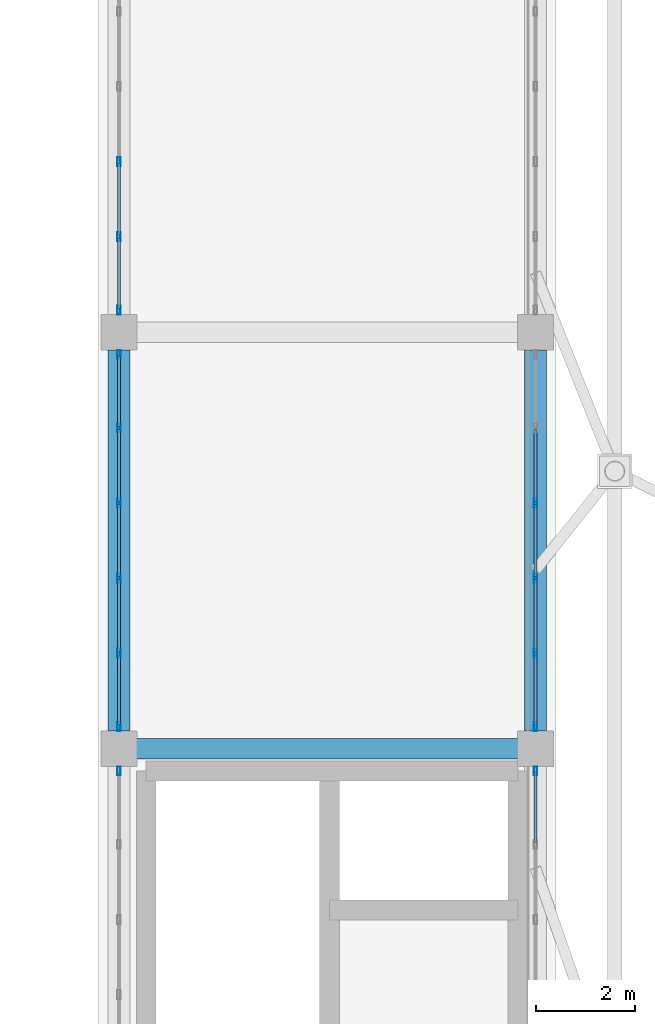
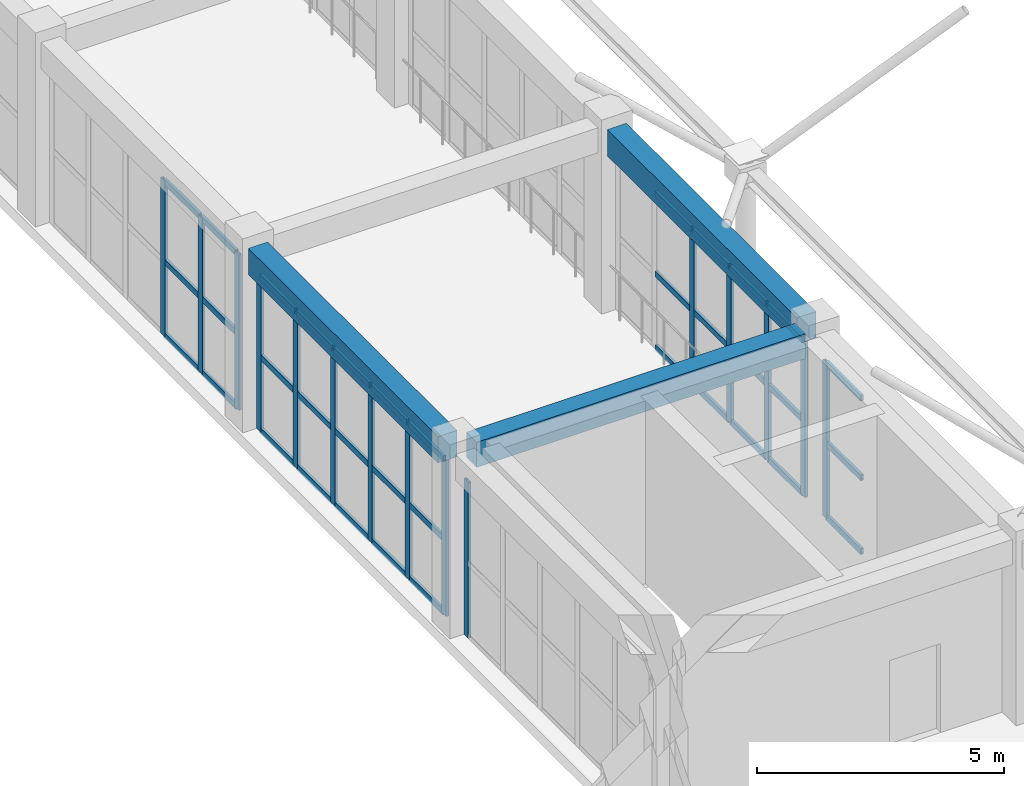
# One storey, part 93 of 158: 51 members, 3 beams, 5 elements without a shape of their own.
"""IFC4 building model written with IfcOpenShell, lengths in metres."""

from ifc_helpers import new_model, si_unit, direction, frame, origin, origin_2d, place, context, subcontext, project, spatial, rectangle, hollow_rectangle, extrude, material, layer, layer_set, material_profile, profile_set, type_object, element, aggregate, save


model = new_model("IFC4")

# Units and contexts
model_context = context("Model", 3, precision=1e-05, world=origin(), true_north=direction((0.0, 1.0)))
body_context = subcontext(model_context, "Body", "Model", "MODEL_VIEW")
ifc_project = project(units=[si_unit("LENGTHUNIT", "METRE"), si_unit("AREAUNIT", "SQUARE_METRE"), si_unit("VOLUMEUNIT", "CUBIC_METRE"), si_unit("PLANEANGLEUNIT", "RADIAN"), si_unit("MASSUNIT", "GRAM", prefix="KILO")], contexts=[model_context])

# Site, building, storey
site_placement = place(None, origin())
site = spatial("IfcSite", under=ifc_project, at=site_placement, CompositionType="ELEMENT")
building_placement = place(site_placement, origin())
building = spatial("IfcBuilding", under=site, at=building_placement, Name="Trelvath General Hospital", CompositionType="ELEMENT")
storey_placement = place(building_placement, frame((0.0, 0.0, 8.10009765625)))
storey = spatial("IfcBuildingStorey", under=building, at=storey_placement, Name="L02", CompositionType="ELEMENT", Elevation=8.10009765625)

# Beams
ifc_material_1 = material(Name="Concrete C35/45", Category="concrete")
ifc_material_profile_1 = material_profile(ifc_material_1, rectangle(XDim=0.419921875, YDim=0.6201171875, at=origin_2d()), Name="RCB420x620")
ifc_profile_set_1 = profile_set([ifc_material_profile_1], Name="Concrete C35/45")
beam_type_1 = type_object("IfcBeamType", Name="Beam RC420x620", PredefinedType="BEAM", material=ifc_profile_set_1)
beam_placement = place(storey_placement, frame((134.7548828125, 33.60009765625, 4.2099609375), z_axis=(1.0, 0.0, 0.0), x_axis=(0.0, 1.0, 0.0)))
element("IfcBeam", 1, at=beam_placement, inside=storey, type_object=beam_type_1, Name="Grid Beam BX-216E", PredefinedType="BEAM", context=body_context, shape_type="SweptSolid", body=[
    extrude(rectangle(XDim=0.419921875, YDim=0.6201171875, at=origin_2d()), origin(), (0.0, 0.0, 1.0), 7.690185546875),
])
ifc_material_2 = material(Name="Concrete C35/45", Category="concrete")
ifc_material_profile_2 = material_profile(ifc_material_2, rectangle(XDim=0.449951171875, YDim=0.64990234375, at=origin_2d()), Name="RCB450x650")
ifc_profile_set_2 = profile_set([ifc_material_profile_2], Name="Concrete C35/45")
beam_type_2 = type_object("IfcBeamType", Name="Beam RC450x650", PredefinedType="BEAM", material=ifc_profile_set_2)
for number, where, z_axis, x_axis, name in (
    (2, (134.39990234375, 33.955078125, 4.19482421875), (0.0, 1.0, 0.0), (-1.0, 0.0, 0.0), "Grid Beam BY-216E"),
    (3, (142.800048828125, 33.955078125, 4.19482421875), (0.0, 1.0, 0.0), (-1.0, 0.0, 0.0), "Grid Beam BY-217E"),
):
    element("IfcBeam", number, at=place(storey_placement, frame(where, z_axis=z_axis, x_axis=x_axis)), inside=storey, type_object=beam_type_2, Name=name, PredefinedType="BEAM", context=body_context, shape_type="SweptSolid", body=[
        extrude(rectangle(XDim=0.449951171875, YDim=0.64990234375, at=origin_2d()), origin(), (0.0, 0.0, 1.0), 7.68994140625),
    ])

# Curtain wall, member
ifc_material_3 = material(Name="Anodised aluminium and low-E glass", Category="aluminium")
ifc_layer = layer(ifc_material_3, 0.179931640625)
ifc_layer_set = layer_set([ifc_layer], Name="Anodised aluminium and low-E glass")
curtain_wall_type = type_object("IfcCurtainWallType", Name="CW Facade 757 386 18", PredefinedType="USERDEFINED", material=ifc_layer_set)
curtain_wall_1_placement = place(storey_placement, origin())
curtain_wall_1 = element("IfcCurtainWall", 4, at=curtain_wall_1_placement, inside=storey, type_object=curtain_wall_type, Name="Facade Curtain Wall CW-046", ObjectType="Unitised Glazed Curtain Wall", PredefinedType="USERDEFINED")
ifc_material_4 = material(Name="Anodised aluminium", Category="aluminium")
ifc_material_profile_3 = material_profile(ifc_material_4, hollow_rectangle(XDim=0.06494140625, YDim=0.179931640625, WallThickness=0.0048828125, at=origin_2d()), Name="RHS65x180x5")
ifc_profile_set_3 = profile_set([ifc_material_profile_3], Name="Anodised aluminium")
member_type_1 = type_object("IfcMemberType", Name="CurtainMullion 65x180", PredefinedType="MULLION", material=ifc_profile_set_3)
member_1_placement = place(storey_placement, frame((134.39990234375, 33.152587890625, 0.0), z_axis=(0.0, 0.0, 1.0), x_axis=(-1.0, 0.0, 0.0)))
member_1 = element("IfcMember", 5, at=member_1_placement, type_object=member_type_1, Name="CW-046 mullion 6", PredefinedType="MULLION", context=body_context, shape_type="SweptSolid", body=[
    extrude(hollow_rectangle(XDim=0.06494140625, YDim=0.179931640625, WallThickness=0.0048828125, at=origin_2d()), origin(), (0.0, 0.0, 1.0), 3.85986328125),
])
aggregate(curtain_wall_1, [member_1])

curtain_wall_2_placement = place(storey_placement, origin())
curtain_wall_2 = element("IfcCurtainWall", 6, at=curtain_wall_2_placement, inside=storey, type_object=curtain_wall_type, Name="Facade Curtain Wall CW-047", ObjectType="Unitised Glazed Curtain Wall", PredefinedType="USERDEFINED")
member_2_placement = place(storey_placement, frame((142.800048828125, 33.152587890625, 0.0), z_axis=(0.0, 0.0, 1.0), x_axis=(1.0, 0.0, 0.0)))
member_2 = element("IfcMember", 7, at=member_2_placement, type_object=member_type_1, Name="CW-047 mullion 1", PredefinedType="MULLION", context=body_context, shape_type="SweptSolid", body=[
    extrude(hollow_rectangle(XDim=0.06494140625, YDim=0.179931640625, WallThickness=0.0048828125, at=origin_2d()), origin(), (0.0, 0.0, 1.0), 3.85986328125),
])

# Curtain wall, members
curtain_wall_3_placement = place(storey_placement, origin())
curtain_wall_3 = element("IfcCurtainWall", 8, at=curtain_wall_3_placement, inside=storey, type_object=curtain_wall_type, Name="Facade Curtain Wall CW-048", ObjectType="Unitised Glazed Curtain Wall", PredefinedType="USERDEFINED")
member_3_placement = place(storey_placement, frame((134.39990234375, 34.047607421875, 0.0), z_axis=(0.0, 0.0, 1.0), x_axis=(-1.0, 0.0, 0.0)))
member_3 = element("IfcMember", 9, at=member_3_placement, type_object=member_type_1, Name="CW-048 mullion 1", PredefinedType="MULLION", context=body_context, shape_type="SweptSolid", body=[
    extrude(hollow_rectangle(XDim=0.06494140625, YDim=0.179931640625, WallThickness=0.0048828125, at=origin_2d()), origin(), (0.0, 0.0, 1.0), 3.85986328125),
])
member_4_placement = place(storey_placement, frame((134.39990234375, 35.529052734375, 0.0), z_axis=(0.0, 0.0, 1.0), x_axis=(-1.0, 0.0, 0.0)))
member_4 = element("IfcMember", 10, at=member_4_placement, type_object=member_type_1, Name="CW-048 mullion 2", PredefinedType="MULLION", context=body_context, shape_type="SweptSolid", body=[
    extrude(hollow_rectangle(XDim=0.06494140625, YDim=0.179931640625, WallThickness=0.0048828125, at=origin_2d()), origin(), (0.0, 0.0, 1.0), 3.85986328125),
])
member_5_placement = place(storey_placement, frame((134.39990234375, 37.04296875, 0.0), z_axis=(0.0, 0.0, 1.0), x_axis=(-1.0, 0.0, 0.0)))
member_5 = element("IfcMember", 11, at=member_5_placement, type_object=member_type_1, Name="CW-048 mullion 3", PredefinedType="MULLION", context=body_context, shape_type="SweptSolid", body=[
    extrude(hollow_rectangle(XDim=0.06494140625, YDim=0.179931640625, WallThickness=0.0048828125, at=origin_2d()), origin(), (0.0, 0.0, 1.0), 3.85986328125),
])
member_6_placement = place(storey_placement, frame((134.39990234375, 38.556884765625, 0.0), z_axis=(0.0, 0.0, 1.0), x_axis=(-1.0, 0.0, 0.0)))
member_6 = element("IfcMember", 12, at=member_6_placement, type_object=member_type_1, Name="CW-048 mullion 4", PredefinedType="MULLION", context=body_context, shape_type="SweptSolid", body=[
    extrude(hollow_rectangle(XDim=0.06494140625, YDim=0.179931640625, WallThickness=0.0048828125, at=origin_2d()), origin(), (0.0, 0.0, 1.0), 3.85986328125),
])
member_7_placement = place(storey_placement, frame((134.39990234375, 40.071044921875, 0.0), z_axis=(0.0, 0.0, 1.0), x_axis=(-1.0, 0.0, 0.0)))
member_7 = element("IfcMember", 13, at=member_7_placement, type_object=member_type_1, Name="CW-048 mullion 5", PredefinedType="MULLION", context=body_context, shape_type="SweptSolid", body=[
    extrude(hollow_rectangle(XDim=0.06494140625, YDim=0.179931640625, WallThickness=0.0048828125, at=origin_2d()), origin(), (0.0, 0.0, 1.0), 3.85986328125),
])
member_8_placement = place(storey_placement, frame((134.39990234375, 41.552490234375, 0.0), z_axis=(0.0, 0.0, 1.0), x_axis=(-1.0, 0.0, 0.0)))
member_8 = element("IfcMember", 14, at=member_8_placement, type_object=member_type_1, Name="CW-048 mullion 6", PredefinedType="MULLION", context=body_context, shape_type="SweptSolid", body=[
    extrude(hollow_rectangle(XDim=0.06494140625, YDim=0.179931640625, WallThickness=0.0048828125, at=origin_2d()), origin(), (0.0, 0.0, 1.0), 3.85986328125),
])

curtain_wall_4_placement = place(storey_placement, origin())
curtain_wall_4 = element("IfcCurtainWall", 15, at=curtain_wall_4_placement, inside=storey, type_object=curtain_wall_type, Name="Facade Curtain Wall CW-049", ObjectType="Unitised Glazed Curtain Wall", PredefinedType="USERDEFINED")
member_9_placement = place(storey_placement, frame((142.800048828125, 38.556884765625, 0.0), z_axis=(0.0, 0.0, 1.0), x_axis=(1.0, 0.0, 0.0)))
member_9 = element("IfcMember", 16, at=member_9_placement, type_object=member_type_1, Name="CW-049 mullion 3", PredefinedType="MULLION", context=body_context, shape_type="SweptSolid", body=[
    extrude(hollow_rectangle(XDim=0.06494140625, YDim=0.179931640625, WallThickness=0.0048828125, at=origin_2d()), origin(), (0.0, 0.0, 1.0), 3.85986328125),
])
member_10_placement = place(storey_placement, frame((142.800048828125, 37.04296875, 0.0), z_axis=(0.0, 0.0, 1.0), x_axis=(1.0, 0.0, 0.0)))
member_10 = element("IfcMember", 17, at=member_10_placement, type_object=member_type_1, Name="CW-049 mullion 4", PredefinedType="MULLION", context=body_context, shape_type="SweptSolid", body=[
    extrude(hollow_rectangle(XDim=0.06494140625, YDim=0.179931640625, WallThickness=0.0048828125, at=origin_2d()), origin(), (0.0, 0.0, 1.0), 3.85986328125),
])
member_11_placement = place(storey_placement, frame((142.800048828125, 35.529052734375, 0.0), z_axis=(0.0, 0.0, 1.0), x_axis=(1.0, 0.0, 0.0)))
member_11 = element("IfcMember", 18, at=member_11_placement, type_object=member_type_1, Name="CW-049 mullion 5", PredefinedType="MULLION", context=body_context, shape_type="SweptSolid", body=[
    extrude(hollow_rectangle(XDim=0.06494140625, YDim=0.179931640625, WallThickness=0.0048828125, at=origin_2d()), origin(), (0.0, 0.0, 1.0), 3.85986328125),
])
member_12_placement = place(storey_placement, frame((142.800048828125, 34.047607421875, 0.0), z_axis=(0.0, 0.0, 1.0), x_axis=(1.0, 0.0, 0.0)))
member_12 = element("IfcMember", 19, at=member_12_placement, type_object=member_type_1, Name="CW-049 mullion 6", PredefinedType="MULLION", context=body_context, shape_type="SweptSolid", body=[
    extrude(hollow_rectangle(XDim=0.06494140625, YDim=0.179931640625, WallThickness=0.0048828125, at=origin_2d()), origin(), (0.0, 0.0, 1.0), 3.85986328125),
])

curtain_wall_5_placement = place(storey_placement, origin())
curtain_wall_5 = element("IfcCurtainWall", 20, at=curtain_wall_5_placement, inside=storey, type_object=curtain_wall_type, Name="Facade Curtain Wall CW-050", ObjectType="Unitised Glazed Curtain Wall", PredefinedType="USERDEFINED")
member_13_placement = place(storey_placement, frame((134.39990234375, 42.447509765625, 0.0), z_axis=(0.0, 0.0, 1.0), x_axis=(-1.0, 0.0, 0.0)))
member_13 = element("IfcMember", 21, at=member_13_placement, type_object=member_type_1, Name="CW-050 mullion 1", PredefinedType="MULLION", context=body_context, shape_type="SweptSolid", body=[
    extrude(hollow_rectangle(XDim=0.06494140625, YDim=0.179931640625, WallThickness=0.0048828125, at=origin_2d()), origin(), (0.0, 0.0, 1.0), 3.85986328125),
])
member_14_placement = place(storey_placement, frame((134.39990234375, 43.928955078125, 0.0), z_axis=(0.0, 0.0, 1.0), x_axis=(-1.0, 0.0, 0.0)))
member_14 = element("IfcMember", 22, at=member_14_placement, type_object=member_type_1, Name="CW-050 mullion 2", PredefinedType="MULLION", context=body_context, shape_type="SweptSolid", body=[
    extrude(hollow_rectangle(XDim=0.06494140625, YDim=0.179931640625, WallThickness=0.0048828125, at=origin_2d()), origin(), (0.0, 0.0, 1.0), 3.85986328125),
])
member_15_placement = place(storey_placement, frame((134.39990234375, 45.443115234375, 0.0), z_axis=(0.0, 0.0, 1.0), x_axis=(-1.0, 0.0, 0.0)))
member_15 = element("IfcMember", 23, at=member_15_placement, type_object=member_type_1, Name="CW-050 mullion 3", PredefinedType="MULLION", context=body_context, shape_type="SweptSolid", body=[
    extrude(hollow_rectangle(XDim=0.06494140625, YDim=0.179931640625, WallThickness=0.0048828125, at=origin_2d()), origin(), (0.0, 0.0, 1.0), 3.85986328125),
])

# Member
ifc_material_5 = material(Name="Anodised aluminium", Category="aluminium")
ifc_material_profile_4 = material_profile(ifc_material_5, hollow_rectangle(XDim=0.06494140625, YDim=0.14501953125, WallThickness=0.00390625, at=origin_2d()), Name="RHS65x145x4")
ifc_profile_set_4 = profile_set([ifc_material_profile_4], Name="Anodised aluminium")
member_type_2 = type_object("IfcMemberType", Name="CurtainTransom 65x145", PredefinedType="USERDEFINED", material=ifc_profile_set_4)
member_16_placement = place(storey_placement, frame((142.800048828125, 33.1201171875, 0.032470703125), z_axis=(0.0, -1.0, 0.0), x_axis=(1.0, 0.0, 0.0)))
member_16 = element("IfcMember", 24, at=member_16_placement, type_object=member_type_2, Name="CW-047 transom 1.1", ObjectType="TRANSOM", PredefinedType="USERDEFINED", context=body_context, shape_type="SweptSolid", body=[
    extrude(hollow_rectangle(XDim=0.06494140625, YDim=0.14501953125, WallThickness=0.00390625, at=origin_2d()), origin(), (0.0, 0.0, 1.0), 1.41650390625),
])

member_17_placement = place(storey_placement, frame((142.800048828125, 33.1201171875, 1.852783203125), z_axis=(0.0, -1.0, 0.0), x_axis=(1.0, 0.0, 0.0)))
member_17 = element("IfcMember", 25, at=member_17_placement, type_object=member_type_2, Name="CW-047 transom 1.2", ObjectType="TRANSOM", PredefinedType="USERDEFINED", context=body_context, shape_type="SweptSolid", body=[
    extrude(hollow_rectangle(XDim=0.06494140625, YDim=0.14501953125, WallThickness=0.00390625, at=origin_2d()), origin(), (0.0, 0.0, 1.0), 1.41650390625),
])

member_18_placement = place(storey_placement, frame((142.800048828125, 33.1201171875, 3.827392578125), z_axis=(0.0, -1.0, 0.0), x_axis=(1.0, 0.0, 0.0)))
member_18 = element("IfcMember", 26, at=member_18_placement, type_object=member_type_2, Name="CW-047 transom 1.3", ObjectType="TRANSOM", PredefinedType="USERDEFINED", context=body_context, shape_type="SweptSolid", body=[
    extrude(hollow_rectangle(XDim=0.06494140625, YDim=0.14501953125, WallThickness=0.00390625, at=origin_2d()), origin(), (0.0, 0.0, 1.0), 1.41650390625),
])

aggregate(curtain_wall_2, [member_2, member_16, member_17, member_18])

member_19_placement = place(storey_placement, frame((134.39990234375, 34.080078125, 0.032470703125), z_axis=(0.0, 1.0, 0.0), x_axis=(-1.0, 0.0, 0.0)))
member_19 = element("IfcMember", 27, at=member_19_placement, type_object=member_type_2, Name="CW-048 transom 1.1", ObjectType="TRANSOM", PredefinedType="USERDEFINED", context=body_context, shape_type="SweptSolid", body=[
    extrude(hollow_rectangle(XDim=0.06494140625, YDim=0.14501953125, WallThickness=0.00390625, at=origin_2d()), origin(), (0.0, 0.0, 1.0), 1.41650390625),
])

member_20_placement = place(storey_placement, frame((134.39990234375, 34.080078125, 1.852783203125), z_axis=(0.0, 1.0, 0.0), x_axis=(-1.0, 0.0, 0.0)))
member_20 = element("IfcMember", 28, at=member_20_placement, type_object=member_type_2, Name="CW-048 transom 1.2", ObjectType="TRANSOM", PredefinedType="USERDEFINED", context=body_context, shape_type="SweptSolid", body=[
    extrude(hollow_rectangle(XDim=0.06494140625, YDim=0.14501953125, WallThickness=0.00390625, at=origin_2d()), origin(), (0.0, 0.0, 1.0), 1.41650390625),
])

member_21_placement = place(storey_placement, frame((134.39990234375, 34.080078125, 3.827392578125), z_axis=(0.0, 1.0, 0.0), x_axis=(-1.0, 0.0, 0.0)))
member_21 = element("IfcMember", 29, at=member_21_placement, type_object=member_type_2, Name="CW-048 transom 1.3", ObjectType="TRANSOM", PredefinedType="USERDEFINED", context=body_context, shape_type="SweptSolid", body=[
    extrude(hollow_rectangle(XDim=0.06494140625, YDim=0.14501953125, WallThickness=0.00390625, at=origin_2d()), origin(), (0.0, 0.0, 1.0), 1.41650390625),
])

member_22_placement = place(storey_placement, frame((134.39990234375, 35.5615234375, 0.032470703125), z_axis=(0.0, 1.0, 0.0), x_axis=(-1.0, 0.0, 0.0)))
member_22 = element("IfcMember", 30, at=member_22_placement, type_object=member_type_2, Name="CW-048 transom 2.1", ObjectType="TRANSOM", PredefinedType="USERDEFINED", context=body_context, shape_type="SweptSolid", body=[
    extrude(hollow_rectangle(XDim=0.06494140625, YDim=0.14501953125, WallThickness=0.00390625, at=origin_2d()), origin(), (0.0, 0.0, 1.0), 1.448974609375),
])

member_23_placement = place(storey_placement, frame((134.39990234375, 35.5615234375, 1.852783203125), z_axis=(0.0, 1.0, 0.0), x_axis=(-1.0, 0.0, 0.0)))
member_23 = element("IfcMember", 31, at=member_23_placement, type_object=member_type_2, Name="CW-048 transom 2.2", ObjectType="TRANSOM", PredefinedType="USERDEFINED", context=body_context, shape_type="SweptSolid", body=[
    extrude(hollow_rectangle(XDim=0.06494140625, YDim=0.14501953125, WallThickness=0.00390625, at=origin_2d()), origin(), (0.0, 0.0, 1.0), 1.448974609375),
])

member_24_placement = place(storey_placement, frame((134.39990234375, 35.5615234375, 3.827392578125), z_axis=(0.0, 1.0, 0.0), x_axis=(-1.0, 0.0, 0.0)))
member_24 = element("IfcMember", 32, at=member_24_placement, type_object=member_type_2, Name="CW-048 transom 2.3", ObjectType="TRANSOM", PredefinedType="USERDEFINED", context=body_context, shape_type="SweptSolid", body=[
    extrude(hollow_rectangle(XDim=0.06494140625, YDim=0.14501953125, WallThickness=0.00390625, at=origin_2d()), origin(), (0.0, 0.0, 1.0), 1.448974609375),
])

member_25_placement = place(storey_placement, frame((134.39990234375, 37.075439453125, 0.032470703125), z_axis=(0.0, 1.0, 0.0), x_axis=(-1.0, 0.0, 0.0)))
member_25 = element("IfcMember", 33, at=member_25_placement, type_object=member_type_2, Name="CW-048 transom 3.1", ObjectType="TRANSOM", PredefinedType="USERDEFINED", context=body_context, shape_type="SweptSolid", body=[
    extrude(hollow_rectangle(XDim=0.06494140625, YDim=0.14501953125, WallThickness=0.00390625, at=origin_2d()), origin(), (0.0, 0.0, 1.0), 1.448974609375),
])

member_26_placement = place(storey_placement, frame((134.39990234375, 37.075439453125, 1.852783203125), z_axis=(0.0, 1.0, 0.0), x_axis=(-1.0, 0.0, 0.0)))
member_26 = element("IfcMember", 34, at=member_26_placement, type_object=member_type_2, Name="CW-048 transom 3.2", ObjectType="TRANSOM", PredefinedType="USERDEFINED", context=body_context, shape_type="SweptSolid", body=[
    extrude(hollow_rectangle(XDim=0.06494140625, YDim=0.14501953125, WallThickness=0.00390625, at=origin_2d()), origin(), (0.0, 0.0, 1.0), 1.448974609375),
])

member_27_placement = place(storey_placement, frame((134.39990234375, 37.075439453125, 3.827392578125), z_axis=(0.0, 1.0, 0.0), x_axis=(-1.0, 0.0, 0.0)))
member_27 = element("IfcMember", 35, at=member_27_placement, type_object=member_type_2, Name="CW-048 transom 3.3", ObjectType="TRANSOM", PredefinedType="USERDEFINED", context=body_context, shape_type="SweptSolid", body=[
    extrude(hollow_rectangle(XDim=0.06494140625, YDim=0.14501953125, WallThickness=0.00390625, at=origin_2d()), origin(), (0.0, 0.0, 1.0), 1.448974609375),
])

member_28_placement = place(storey_placement, frame((134.39990234375, 38.589599609375, 0.032470703125), z_axis=(0.0, 1.0, 0.0), x_axis=(-1.0, 0.0, 0.0)))
member_28 = element("IfcMember", 36, at=member_28_placement, type_object=member_type_2, Name="CW-048 transom 4.1", ObjectType="TRANSOM", PredefinedType="USERDEFINED", context=body_context, shape_type="SweptSolid", body=[
    extrude(hollow_rectangle(XDim=0.06494140625, YDim=0.14501953125, WallThickness=0.00390625, at=origin_2d()), origin(), (0.0, 0.0, 1.0), 1.448974609375),
])

member_29_placement = place(storey_placement, frame((134.39990234375, 38.589599609375, 1.852783203125), z_axis=(0.0, 1.0, 0.0), x_axis=(-1.0, 0.0, 0.0)))
member_29 = element("IfcMember", 37, at=member_29_placement, type_object=member_type_2, Name="CW-048 transom 4.2", ObjectType="TRANSOM", PredefinedType="USERDEFINED", context=body_context, shape_type="SweptSolid", body=[
    extrude(hollow_rectangle(XDim=0.06494140625, YDim=0.14501953125, WallThickness=0.00390625, at=origin_2d()), origin(), (0.0, 0.0, 1.0), 1.448974609375),
])

member_30_placement = place(storey_placement, frame((134.39990234375, 38.589599609375, 3.827392578125), z_axis=(0.0, 1.0, 0.0), x_axis=(-1.0, 0.0, 0.0)))
member_30 = element("IfcMember", 38, at=member_30_placement, type_object=member_type_2, Name="CW-048 transom 4.3", ObjectType="TRANSOM", PredefinedType="USERDEFINED", context=body_context, shape_type="SweptSolid", body=[
    extrude(hollow_rectangle(XDim=0.06494140625, YDim=0.14501953125, WallThickness=0.00390625, at=origin_2d()), origin(), (0.0, 0.0, 1.0), 1.448974609375),
])

member_31_placement = place(storey_placement, frame((134.39990234375, 40.103515625, 0.032470703125), z_axis=(0.0, 1.0, 0.0), x_axis=(-1.0, 0.0, 0.0)))
member_31 = element("IfcMember", 39, at=member_31_placement, type_object=member_type_2, Name="CW-048 transom 5.1", ObjectType="TRANSOM", PredefinedType="USERDEFINED", context=body_context, shape_type="SweptSolid", body=[
    extrude(hollow_rectangle(XDim=0.06494140625, YDim=0.14501953125, WallThickness=0.00390625, at=origin_2d()), origin(), (0.0, 0.0, 1.0), 1.41650390625),
])

member_32_placement = place(storey_placement, frame((134.39990234375, 40.103515625, 1.852783203125), z_axis=(0.0, 1.0, 0.0), x_axis=(-1.0, 0.0, 0.0)))
member_32 = element("IfcMember", 40, at=member_32_placement, type_object=member_type_2, Name="CW-048 transom 5.2", ObjectType="TRANSOM", PredefinedType="USERDEFINED", context=body_context, shape_type="SweptSolid", body=[
    extrude(hollow_rectangle(XDim=0.06494140625, YDim=0.14501953125, WallThickness=0.00390625, at=origin_2d()), origin(), (0.0, 0.0, 1.0), 1.41650390625),
])

member_33_placement = place(storey_placement, frame((134.39990234375, 40.103515625, 3.827392578125), z_axis=(0.0, 1.0, 0.0), x_axis=(-1.0, 0.0, 0.0)))
member_33 = element("IfcMember", 41, at=member_33_placement, type_object=member_type_2, Name="CW-048 transom 5.3", ObjectType="TRANSOM", PredefinedType="USERDEFINED", context=body_context, shape_type="SweptSolid", body=[
    extrude(hollow_rectangle(XDim=0.06494140625, YDim=0.14501953125, WallThickness=0.00390625, at=origin_2d()), origin(), (0.0, 0.0, 1.0), 1.41650390625),
])

aggregate(curtain_wall_3, [member_3, member_4, member_5, member_6, member_7, member_8, member_19, member_20, member_21, member_22, member_23, member_24, member_25, member_26, member_27, member_28, member_29, member_30, member_31, member_32, member_33])

member_34_placement = place(storey_placement, frame((142.800048828125, 40.03857421875, 0.032470703125), z_axis=(0.0, -1.0, 0.0), x_axis=(1.0, 0.0, 0.0)))
member_34 = element("IfcMember", 42, at=member_34_placement, type_object=member_type_2, Name="CW-049 transom 2.1", ObjectType="TRANSOM", PredefinedType="USERDEFINED", context=body_context, shape_type="SweptSolid", body=[
    extrude(hollow_rectangle(XDim=0.06494140625, YDim=0.14501953125, WallThickness=0.00390625, at=origin_2d()), origin(), (0.0, 0.0, 1.0), 1.448974609375),
])

member_35_placement = place(storey_placement, frame((142.800048828125, 40.03857421875, 1.852783203125), z_axis=(0.0, -1.0, 0.0), x_axis=(1.0, 0.0, 0.0)))
member_35 = element("IfcMember", 43, at=member_35_placement, type_object=member_type_2, Name="CW-049 transom 2.2", ObjectType="TRANSOM", PredefinedType="USERDEFINED", context=body_context, shape_type="SweptSolid", body=[
    extrude(hollow_rectangle(XDim=0.06494140625, YDim=0.14501953125, WallThickness=0.00390625, at=origin_2d()), origin(), (0.0, 0.0, 1.0), 1.448974609375),
])

member_36_placement = place(storey_placement, frame((142.800048828125, 40.03857421875, 3.827392578125), z_axis=(0.0, -1.0, 0.0), x_axis=(1.0, 0.0, 0.0)))
member_36 = element("IfcMember", 44, at=member_36_placement, type_object=member_type_2, Name="CW-049 transom 2.3", ObjectType="TRANSOM", PredefinedType="USERDEFINED", context=body_context, shape_type="SweptSolid", body=[
    extrude(hollow_rectangle(XDim=0.06494140625, YDim=0.14501953125, WallThickness=0.00390625, at=origin_2d()), origin(), (0.0, 0.0, 1.0), 1.448974609375),
])

member_37_placement = place(storey_placement, frame((142.800048828125, 38.5244140625, 0.032470703125), z_axis=(0.0, -1.0, 0.0), x_axis=(1.0, 0.0, 0.0)))
member_37 = element("IfcMember", 45, at=member_37_placement, type_object=member_type_2, Name="CW-049 transom 3.1", ObjectType="TRANSOM", PredefinedType="USERDEFINED", context=body_context, shape_type="SweptSolid", body=[
    extrude(hollow_rectangle(XDim=0.06494140625, YDim=0.14501953125, WallThickness=0.00390625, at=origin_2d()), origin(), (0.0, 0.0, 1.0), 1.448974609375),
])

member_38_placement = place(storey_placement, frame((142.800048828125, 38.5244140625, 1.852783203125), z_axis=(0.0, -1.0, 0.0), x_axis=(1.0, 0.0, 0.0)))
member_38 = element("IfcMember", 46, at=member_38_placement, type_object=member_type_2, Name="CW-049 transom 3.2", ObjectType="TRANSOM", PredefinedType="USERDEFINED", context=body_context, shape_type="SweptSolid", body=[
    extrude(hollow_rectangle(XDim=0.06494140625, YDim=0.14501953125, WallThickness=0.00390625, at=origin_2d()), origin(), (0.0, 0.0, 1.0), 1.448974609375),
])

member_39_placement = place(storey_placement, frame((142.800048828125, 38.5244140625, 3.827392578125), z_axis=(0.0, -1.0, 0.0), x_axis=(1.0, 0.0, 0.0)))
member_39 = element("IfcMember", 47, at=member_39_placement, type_object=member_type_2, Name="CW-049 transom 3.3", ObjectType="TRANSOM", PredefinedType="USERDEFINED", context=body_context, shape_type="SweptSolid", body=[
    extrude(hollow_rectangle(XDim=0.06494140625, YDim=0.14501953125, WallThickness=0.00390625, at=origin_2d()), origin(), (0.0, 0.0, 1.0), 1.448974609375),
])

member_40_placement = place(storey_placement, frame((142.800048828125, 37.010498046875, 0.032470703125), z_axis=(0.0, -1.0, 0.0), x_axis=(1.0, 0.0, 0.0)))
member_40 = element("IfcMember", 48, at=member_40_placement, type_object=member_type_2, Name="CW-049 transom 4.1", ObjectType="TRANSOM", PredefinedType="USERDEFINED", context=body_context, shape_type="SweptSolid", body=[
    extrude(hollow_rectangle(XDim=0.06494140625, YDim=0.14501953125, WallThickness=0.00390625, at=origin_2d()), origin(), (0.0, 0.0, 1.0), 1.448974609375),
])

member_41_placement = place(storey_placement, frame((142.800048828125, 37.010498046875, 1.852783203125), z_axis=(0.0, -1.0, 0.0), x_axis=(1.0, 0.0, 0.0)))
member_41 = element("IfcMember", 49, at=member_41_placement, type_object=member_type_2, Name="CW-049 transom 4.2", ObjectType="TRANSOM", PredefinedType="USERDEFINED", context=body_context, shape_type="SweptSolid", body=[
    extrude(hollow_rectangle(XDim=0.06494140625, YDim=0.14501953125, WallThickness=0.00390625, at=origin_2d()), origin(), (0.0, 0.0, 1.0), 1.448974609375),
])

member_42_placement = place(storey_placement, frame((142.800048828125, 37.010498046875, 3.827392578125), z_axis=(0.0, -1.0, 0.0), x_axis=(1.0, 0.0, 0.0)))
member_42 = element("IfcMember", 50, at=member_42_placement, type_object=member_type_2, Name="CW-049 transom 4.3", ObjectType="TRANSOM", PredefinedType="USERDEFINED", context=body_context, shape_type="SweptSolid", body=[
    extrude(hollow_rectangle(XDim=0.06494140625, YDim=0.14501953125, WallThickness=0.00390625, at=origin_2d()), origin(), (0.0, 0.0, 1.0), 1.448974609375),
])

member_43_placement = place(storey_placement, frame((142.800048828125, 35.49658203125, 0.032470703125), z_axis=(0.0, -1.0, 0.0), x_axis=(1.0, 0.0, 0.0)))
member_43 = element("IfcMember", 51, at=member_43_placement, type_object=member_type_2, Name="CW-049 transom 5.1", ObjectType="TRANSOM", PredefinedType="USERDEFINED", context=body_context, shape_type="SweptSolid", body=[
    extrude(hollow_rectangle(XDim=0.06494140625, YDim=0.14501953125, WallThickness=0.00390625, at=origin_2d()), origin(), (0.0, 0.0, 1.0), 1.41650390625),
])

member_44_placement = place(storey_placement, frame((142.800048828125, 35.49658203125, 1.852783203125), z_axis=(0.0, -1.0, 0.0), x_axis=(1.0, 0.0, 0.0)))
member_44 = element("IfcMember", 52, at=member_44_placement, type_object=member_type_2, Name="CW-049 transom 5.2", ObjectType="TRANSOM", PredefinedType="USERDEFINED", context=body_context, shape_type="SweptSolid", body=[
    extrude(hollow_rectangle(XDim=0.06494140625, YDim=0.14501953125, WallThickness=0.00390625, at=origin_2d()), origin(), (0.0, 0.0, 1.0), 1.41650390625),
])

member_45_placement = place(storey_placement, frame((142.800048828125, 35.49658203125, 3.827392578125), z_axis=(0.0, -1.0, 0.0), x_axis=(1.0, 0.0, 0.0)))
member_45 = element("IfcMember", 53, at=member_45_placement, type_object=member_type_2, Name="CW-049 transom 5.3", ObjectType="TRANSOM", PredefinedType="USERDEFINED", context=body_context, shape_type="SweptSolid", body=[
    extrude(hollow_rectangle(XDim=0.06494140625, YDim=0.14501953125, WallThickness=0.00390625, at=origin_2d()), origin(), (0.0, 0.0, 1.0), 1.41650390625),
])

aggregate(curtain_wall_4, [member_9, member_10, member_11, member_12, member_34, member_35, member_36, member_37, member_38, member_39, member_40, member_41, member_42, member_43, member_44, member_45])

member_46_placement = place(storey_placement, frame((134.39990234375, 42.47998046875, 0.032470703125), z_axis=(0.0, 1.0, 0.0), x_axis=(-1.0, 0.0, 0.0)))
member_46 = element("IfcMember", 54, at=member_46_placement, type_object=member_type_2, Name="CW-050 transom 1.1", ObjectType="TRANSOM", PredefinedType="USERDEFINED", context=body_context, shape_type="SweptSolid", body=[
    extrude(hollow_rectangle(XDim=0.06494140625, YDim=0.14501953125, WallThickness=0.00390625, at=origin_2d()), origin(), (0.0, 0.0, 1.0), 1.41650390625),
])

member_47_placement = place(storey_placement, frame((134.39990234375, 42.47998046875, 1.852783203125), z_axis=(0.0, 1.0, 0.0), x_axis=(-1.0, 0.0, 0.0)))
member_47 = element("IfcMember", 55, at=member_47_placement, type_object=member_type_2, Name="CW-050 transom 1.2", ObjectType="TRANSOM", PredefinedType="USERDEFINED", context=body_context, shape_type="SweptSolid", body=[
    extrude(hollow_rectangle(XDim=0.06494140625, YDim=0.14501953125, WallThickness=0.00390625, at=origin_2d()), origin(), (0.0, 0.0, 1.0), 1.41650390625),
])

member_48_placement = place(storey_placement, frame((134.39990234375, 42.47998046875, 3.827392578125), z_axis=(0.0, 1.0, 0.0), x_axis=(-1.0, 0.0, 0.0)))
member_48 = element("IfcMember", 56, at=member_48_placement, type_object=member_type_2, Name="CW-050 transom 1.3", ObjectType="TRANSOM", PredefinedType="USERDEFINED", context=body_context, shape_type="SweptSolid", body=[
    extrude(hollow_rectangle(XDim=0.06494140625, YDim=0.14501953125, WallThickness=0.00390625, at=origin_2d()), origin(), (0.0, 0.0, 1.0), 1.41650390625),
])

member_49_placement = place(storey_placement, frame((134.39990234375, 43.96142578125, 0.032470703125), z_axis=(0.0, 1.0, 0.0), x_axis=(-1.0, 0.0, 0.0)))
member_49 = element("IfcMember", 57, at=member_49_placement, type_object=member_type_2, Name="CW-050 transom 2.1", ObjectType="TRANSOM", PredefinedType="USERDEFINED", context=body_context, shape_type="SweptSolid", body=[
    extrude(hollow_rectangle(XDim=0.06494140625, YDim=0.14501953125, WallThickness=0.00390625, at=origin_2d()), origin(), (0.0, 0.0, 1.0), 1.448974609375),
])

member_50_placement = place(storey_placement, frame((134.39990234375, 43.96142578125, 1.852783203125), z_axis=(0.0, 1.0, 0.0), x_axis=(-1.0, 0.0, 0.0)))
member_50 = element("IfcMember", 58, at=member_50_placement, type_object=member_type_2, Name="CW-050 transom 2.2", ObjectType="TRANSOM", PredefinedType="USERDEFINED", context=body_context, shape_type="SweptSolid", body=[
    extrude(hollow_rectangle(XDim=0.06494140625, YDim=0.14501953125, WallThickness=0.00390625, at=origin_2d()), origin(), (0.0, 0.0, 1.0), 1.448974609375),
])

member_51_placement = place(storey_placement, frame((134.39990234375, 43.96142578125, 3.827392578125), z_axis=(0.0, 1.0, 0.0), x_axis=(-1.0, 0.0, 0.0)))
member_51 = element("IfcMember", 59, at=member_51_placement, type_object=member_type_2, Name="CW-050 transom 2.3", ObjectType="TRANSOM", PredefinedType="USERDEFINED", context=body_context, shape_type="SweptSolid", body=[
    extrude(hollow_rectangle(XDim=0.06494140625, YDim=0.14501953125, WallThickness=0.00390625, at=origin_2d()), origin(), (0.0, 0.0, 1.0), 1.448974609375),
])

aggregate(curtain_wall_5, [member_13, member_14, member_15, member_46, member_47, member_48, member_49, member_50, member_51])

save(model, "model.ifc")
